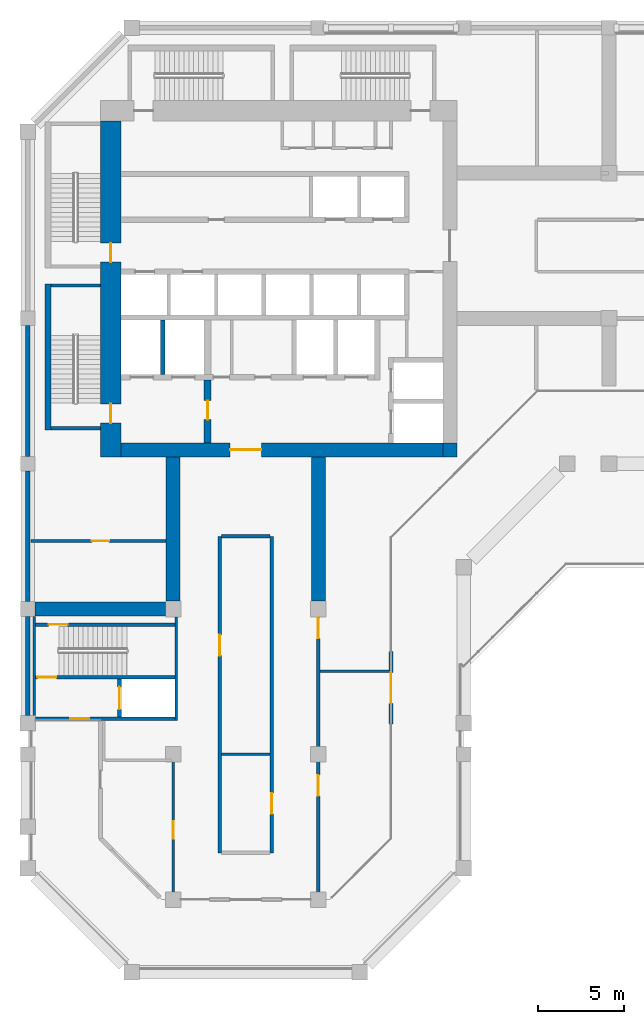
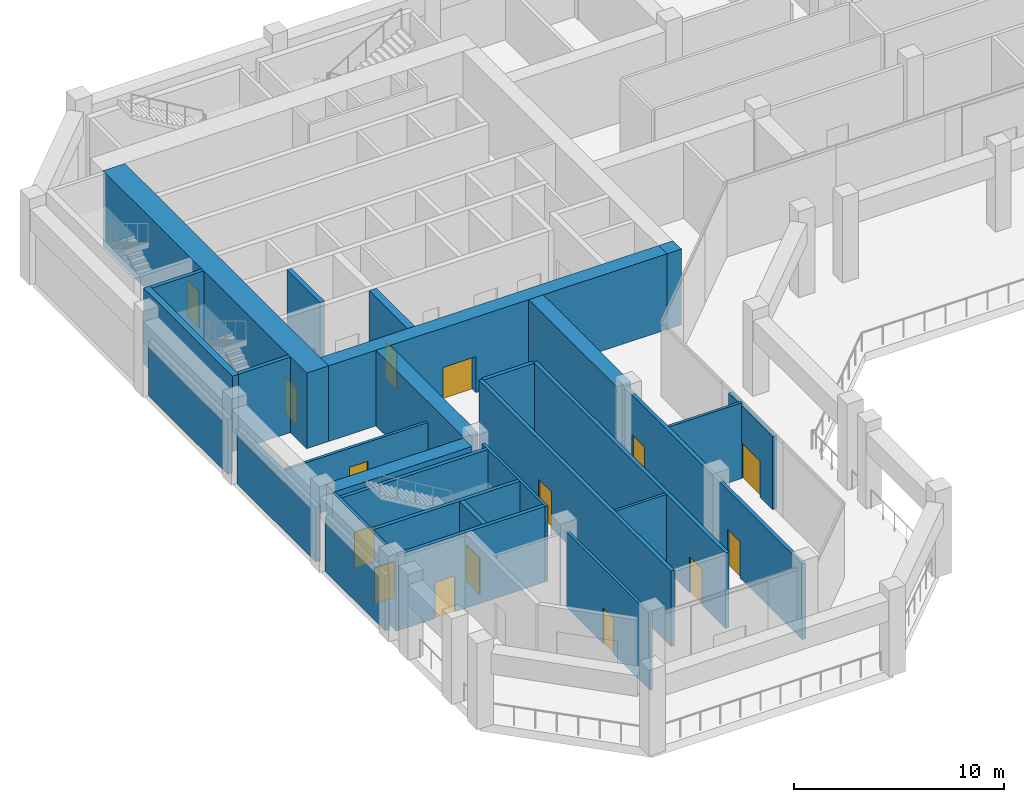
# One storey, part 5 of 14: 29 walls, 15 doors, 15 openings.
"""IFC4 building model written with IfcOpenShell, lengths in metres."""

from ifc_helpers import new_model, si_unit, direction, frame, frame_2d, origin, place, context, subcontext, project, spatial, rectangle, extrude, material, layer, layer_set, type_object, element, fill, save


model = new_model("IFC4")

# Units and contexts
model_context = context("Model", 3, precision=1e-05, world=origin(), true_north=direction((0.0, 1.0)))
body_context = subcontext(model_context, "Body", "Model", "MODEL_VIEW")
ifc_project = project(units=[si_unit("LENGTHUNIT", "METRE"), si_unit("AREAUNIT", "SQUARE_METRE"), si_unit("VOLUMEUNIT", "CUBIC_METRE"), si_unit("PLANEANGLEUNIT", "RADIAN"), si_unit("MASSUNIT", "GRAM", prefix="KILO")], contexts=[model_context])

# Site, building, storey
site_placement = place(None, origin())
site = spatial("IfcSite", under=ifc_project, at=site_placement, CompositionType="ELEMENT")
building_placement = place(site_placement, origin())
building = spatial("IfcBuilding", under=site, at=building_placement, Name="Kawkab Arch Medical Tower", CompositionType="ELEMENT")
storey_placement = place(building_placement, frame((0.0, 0.0, 213.0)))
storey = spatial("IfcBuildingStorey", under=building, at=storey_placement, Name="L49", CompositionType="ELEMENT", Elevation=213.0)

# Walls
ifc_material_1 = material(Name="Concrete C45/55", Category="concrete")
ifc_layer_1 = layer(ifc_material_1, 0.800048828125)
ifc_layer_set_1 = layer_set([ifc_layer_1], Name="Concrete C45/55")
wall_type_1 = type_object("IfcWallType", Name="Belt wall 800 C45/55", PredefinedType="SHEAR", material=ifc_layer_set_1)
for number, where, z_axis, x_axis, name in (
    (1, (8.39990234375, -24.800048828125, 0.0), (0.0, 0.0, 1.0), (0.0, -1.0, 0.0), "Belt wall BW-L49-5"),
    (2, (16.800048828125, -24.800048828125, 0.0), (0.0, 0.0, 1.0), (0.0, -1.0, 0.0), "Belt wall BW-L49-6"),
):
    element("IfcWall", number, at=place(storey_placement, frame(where, z_axis=z_axis, x_axis=x_axis)), inside=storey, type_object=wall_type_1, Name=name, PredefinedType="SHEAR", context=body_context, shape_type="SweptSolid", body=[
        extrude(rectangle(XDim=8.349853515625, YDim=0.800048828125, at=frame_2d((4.1748046875, 0.0))), origin(), (0.0, 0.0, 1.0), 4.39990234375),
    ])
wall_1_placement = place(storey_placement, frame((0.425048828125, -33.60009765625, 0.0), z_axis=(0.0, 0.0, 1.0), x_axis=(1.0, 0.0, 0.0)))
element("IfcWall", 3, at=wall_1_placement, inside=storey, type_object=wall_type_1, Name="Belt wall BW-L49-7", PredefinedType="SHEAR", context=body_context, shape_type="SweptSolid", body=[
    extrude(rectangle(XDim=7.52490234375, YDim=0.800048828125, at=frame_2d((3.762451171875, 0.0))), origin(), (0.0, 0.0, 1.0), 4.39990234375),
])

# Wall, openings, doors
ifc_material_2 = material(Name="Concrete C50/60", Category="concrete")
ifc_layer_2 = layer(ifc_material_2, 1.199951171875)
ifc_layer_set_2 = layer_set([ifc_layer_2], Name="Concrete C50/60")
wall_type_2 = type_object("IfcWallType", Name="Core ring wall 1200 C50/60", PredefinedType="SHEAR", material=ifc_layer_set_2)
wall_2_placement = place(storey_placement, frame((4.800048828125, -24.800048828125, 0.0), z_axis=(0.0, 0.0, 1.0), x_axis=(0.0, 1.0, 0.0)))
wall_2 = element("IfcWall", 4, at=wall_2_placement, inside=storey, type_object=wall_type_2, Name="L49 core wall", PredefinedType="SHEAR", context=body_context, shape_type="SweptSolid", body=[
    extrude(rectangle(XDim=19.400146484375, YDim=1.199951171875, at=frame_2d((9.7001953125, 0.0))), origin(), (0.0, 0.0, 1.0), 4.39990234375),
])
opening_1_placement = place(wall_2_placement, frame((11.25, 0.0, 0.0)))
opening_1 = element("IfcOpeningElement", 5, at=opening_1_placement, cuts=wall_2, Name="Opening SD", PredefinedType="OPENING", context=body_context, shape_type="SweptSolid", body=[
    extrude(rectangle(XDim=1.10009765625, YDim=2.10009765625, at=frame_2d((0.550048828125, 1.050048828125))), frame((0.0, 0.60986328125, 0.0), z_axis=(0.0, -1.0, 0.0), x_axis=(1.0, 0.0, 0.0)), (0.0, 0.0, 1.0), 1.219970703125),
])
opening_2_placement = place(wall_2_placement, frame((1.949951171875, 0.0, 0.0)))
opening_2 = element("IfcOpeningElement", 6, at=opening_2_placement, cuts=wall_2, Name="Opening SD", PredefinedType="OPENING", context=body_context, shape_type="SweptSolid", body=[
    extrude(rectangle(XDim=1.10009765625, YDim=2.10009765625, at=frame_2d((0.550048828125, 1.050048828125))), frame((0.0, 0.60986328125, 0.0), z_axis=(0.0, -1.0, 0.0), x_axis=(1.0, 0.0, 0.0)), (0.0, 0.0, 1.0), 1.219970703125),
])
ifc_material_3 = material(Name="Hollow metal fire door leaf")
door_type_1 = type_object("IfcDoorType", Name="Exit stair door 1100", OperationType="SINGLE_SWING_LEFT", PredefinedType="DOOR", material=ifc_material_3)
door_1_placement = place(opening_1_placement, origin())
door_1 = element("IfcDoor", 7, at=door_1_placement, inside=storey, type_object=door_type_1, Name="L49 Exit stair ST1 door", OperationType="SINGLE_SWING_LEFT", OverallHeight=2.10009765625, OverallWidth=1.10009765625, PredefinedType="DOOR", context=body_context, shape_type="SweptSolid", body=[
    extrude(rectangle(XDim=1.10009765625, YDim=2.10009765625, at=frame_2d((0.550048828125, 1.050048828125))), frame((0.0, 0.02490234375, 0.0), z_axis=(0.0, -1.0, 0.0), x_axis=(1.0, 0.0, 0.0)), (0.0, 0.0, 1.0), 0.050048828125),
])
fill(opening_1, door_1)
door_2_placement = place(opening_2_placement, origin())
door_2 = element("IfcDoor", 8, at=door_2_placement, inside=storey, type_object=door_type_1, Name="L49 Exit stair ST2 door", OperationType="SINGLE_SWING_LEFT", OverallHeight=2.10009765625, OverallWidth=1.10009765625, PredefinedType="DOOR", context=body_context, shape_type="SweptSolid", body=[
    extrude(rectangle(XDim=1.10009765625, YDim=2.10009765625, at=frame_2d((0.550048828125, 1.050048828125))), frame((0.0, 0.02490234375, 0.0), z_axis=(0.0, -1.0, 0.0), x_axis=(1.0, 0.0, 0.0)), (0.0, 0.0, 1.0), 0.050048828125),
])
fill(opening_2, door_2)

# Wall, opening, door
ifc_material_4 = material(Name="Concrete C50/60", Category="concrete")
ifc_layer_3 = layer(ifc_material_4, 0.800048828125)
ifc_layer_set_3 = layer_set([ifc_layer_3], Name="Concrete C50/60")
wall_type_3 = type_object("IfcWallType", Name="Core ring wall 800 C50/60", PredefinedType="SHEAR", material=ifc_layer_set_3)
wall_3_placement = place(storey_placement, frame((5.39990234375, -24.39990234375, 0.0), z_axis=(0.0, 0.0, 1.0), x_axis=(1.0, 0.0, 0.0)))
wall_3 = element("IfcWall", 9, at=wall_3_placement, inside=storey, type_object=wall_type_3, Name="L49 core wall", PredefinedType="SHEAR", context=body_context, shape_type="SweptSolid", body=[
    extrude(rectangle(XDim=18.60009765625, YDim=0.800048828125, at=frame_2d((9.300048828125, 0.0))), origin(), (0.0, 0.0, 1.0), 4.39990234375),
])
opening_3_placement = place(wall_3_placement, frame((6.300048828125, 0.0, 0.0)))
opening_3 = element("IfcOpeningElement", 10, at=opening_3_placement, cuts=wall_3, Name="Opening PD", PredefinedType="OPENING", context=body_context, shape_type="SweptSolid", body=[
    extrude(rectangle(XDim=1.800048828125, YDim=2.10009765625, at=frame_2d((0.89990234375, 1.050048828125))), frame((0.0, 0.409912109375, 0.0), z_axis=(0.0, -1.0, 0.0), x_axis=(1.0, 0.0, 0.0)), (0.0, 0.0, 1.0), 0.820068359375),
])
ifc_material_5 = material(Name="Hollow metal fire door leaf")
door_type_2 = type_object("IfcDoorType", Name="Core entrance doors 1800", OperationType="DOUBLE_DOOR_SINGLE_SWING", PredefinedType="DOOR", material=ifc_material_5)
door_3_placement = place(opening_3_placement, origin())
door_3 = element("IfcDoor", 11, at=door_3_placement, inside=storey, type_object=door_type_2, Name="L49 South entrance doors", OperationType="DOUBLE_DOOR_SINGLE_SWING", OverallHeight=2.10009765625, OverallWidth=1.800048828125, PredefinedType="DOOR", context=body_context, shape_type="SweptSolid", body=[
    extrude(rectangle(XDim=1.800048828125, YDim=2.10009765625, at=frame_2d((0.89990234375, 1.050048828125))), frame((0.0, 0.02490234375, 0.0), z_axis=(0.0, -1.0, 0.0), x_axis=(1.0, 0.0, 0.0)), (0.0, 0.0, 1.0), 0.050048828125),
])
fill(opening_3, door_3)

# Walls
wall_4_placement = place(storey_placement, frame((24.39990234375, -24.800048828125, 0.0), z_axis=(0.0, 0.0, 1.0), x_axis=(0.0, 1.0, 0.0)))
element("IfcWall", 12, at=wall_4_placement, inside=storey, type_object=wall_type_3, Name="L49 core wall", PredefinedType="SHEAR", context=body_context, shape_type="SweptSolid", body=[
    extrude(rectangle(XDim=0.800048828125, YDim=0.800048828125, at=frame_2d((0.39990234375, 0.0))), origin(), (0.0, 0.0, 1.0), 4.39990234375),
])
ifc_material_6 = material(Name="Concrete C60/75", Category="concrete")
ifc_layer_4 = layer(ifc_material_6, 0.25)
ifc_layer_set_4 = layer_set([ifc_layer_4], Name="Concrete C60/75")
wall_type_4 = type_object("IfcWallType", Name="Core shear wall 250 C60/75", PredefinedType="SHEAR", material=ifc_layer_set_4)
wall_5_placement = place(storey_placement, frame((7.800048828125, -20.050048828125, 0.0), z_axis=(0.0, 0.0, 1.0), x_axis=(0.0, 1.0, 0.0)))
element("IfcWall", 13, at=wall_5_placement, inside=storey, type_object=wall_type_4, Name="L49 core shear wall", PredefinedType="SHEAR", context=body_context, shape_type="SweptSolid", body=[
    extrude(rectangle(XDim=3.150146484375, YDim=0.25, at=frame_2d((1.5751953125, 0.0))), origin(), (0.0, 0.0, 1.0), 4.39990234375),
])

# Wall, opening, door
wall_6_placement = place(storey_placement, frame((5.300048828125, -39.85009765625, 0.0), z_axis=(0.0, 0.0, 1.0), x_axis=(0.0, 1.0, 0.0)))
wall_6 = element("IfcWall", 14, at=wall_6_placement, inside=storey, type_object=wall_type_4, Name="L49 core shear wall", PredefinedType="SHEAR", context=body_context, shape_type="SweptSolid", body=[
    extrude(rectangle(XDim=2.2001953125, YDim=0.25, at=frame_2d((1.10009765625, 0.0))), origin(), (0.0, 0.0, 1.0), 4.39990234375),
])
opening_4_placement = place(wall_6_placement, frame((0.449951171875, 0.0, 0.0)))
opening_4 = element("IfcOpeningElement", 15, at=opening_4_placement, cuts=wall_6, Name="Opening LD2", PredefinedType="OPENING", context=body_context, shape_type="SweptSolid", body=[
    extrude(rectangle(XDim=1.300048828125, YDim=2.10009765625, at=frame_2d((0.64990234375, 1.050048828125))), frame((0.0, 0.135009765625, 0.0), z_axis=(0.0, -1.0, 0.0), x_axis=(1.0, 0.0, 0.0)), (0.0, 0.0, 1.0), 0.27001953125),
])
ifc_material_7 = material(Name="Stainless steel lift door leaf", Category="steel")
door_type_3 = type_object("IfcDoorType", Name="Lift landing door 1300", OperationType="DOUBLE_DOOR_SLIDING", PredefinedType="DOOR", material=ifc_material_7)
door_4_placement = place(opening_4_placement, origin())
door_4 = element("IfcDoor", 16, at=door_4_placement, inside=storey, type_object=door_type_3, Name="L49 Lift landing door SV2", OperationType="DOUBLE_DOOR_SLIDING", OverallHeight=2.10009765625, OverallWidth=1.300048828125, PredefinedType="DOOR", context=body_context, shape_type="SweptSolid", body=[
    extrude(rectangle(XDim=1.300048828125, YDim=2.10009765625, at=frame_2d((0.64990234375, 1.050048828125))), frame((0.0, 0.02490234375, 0.0), z_axis=(0.0, -1.0, 0.0), x_axis=(1.0, 0.0, 0.0)), (0.0, 0.0, 1.0), 0.050048828125),
])
fill(opening_4, door_4)

ifc_material_8 = material(Name="Concrete C60/75", Category="concrete")
ifc_layer_5 = layer(ifc_material_8, 0.39990234375)
ifc_layer_set_5 = layer_set([ifc_layer_5], Name="Concrete C60/75")
wall_type_5 = type_object("IfcWallType", Name="Core shear wall 400 C60/75", PredefinedType="SHEAR", material=ifc_layer_set_5)
wall_7_placement = place(storey_placement, frame((10.39990234375, -24.0, 0.0), z_axis=(0.0, 0.0, 1.0), x_axis=(0.0, 1.0, 0.0)))
wall_7 = element("IfcWall", 17, at=wall_7_placement, inside=storey, type_object=wall_type_5, Name="L49 core shear wall", PredefinedType="SHEAR", context=body_context, shape_type="SweptSolid", body=[
    extrude(rectangle(XDim=3.64990234375, YDim=0.39990234375, at=frame_2d((1.824951171875, 0.0))), origin(), (0.0, 0.0, 1.0), 4.39990234375),
])
opening_5_placement = place(wall_7_placement, frame((1.35009765625, 0.0, 0.0)))
opening_5 = element("IfcOpeningElement", 18, at=opening_5_placement, cuts=wall_7, Name="Opening FD", PredefinedType="OPENING", context=body_context, shape_type="SweptSolid", body=[
    extrude(rectangle(XDim=1.10009765625, YDim=2.10009765625, at=frame_2d((0.550048828125, 1.050048828125))), frame((0.0, 0.2099609375, 0.0), z_axis=(0.0, -1.0, 0.0), x_axis=(1.0, 0.0, 0.0)), (0.0, 0.0, 1.0), 0.419921875),
])
ifc_material_9 = material(Name="Hollow metal fire door leaf")
door_type_4 = type_object("IfcDoorType", Name="Firefighting lobby door 1100", OperationType="SINGLE_SWING_LEFT", PredefinedType="DOOR", material=ifc_material_9)
door_5_placement = place(opening_5_placement, origin())
door_5 = element("IfcDoor", 19, at=door_5_placement, inside=storey, type_object=door_type_4, Name="L49 Firefighting lobby door", OperationType="SINGLE_SWING_LEFT", OverallHeight=2.10009765625, OverallWidth=1.10009765625, PredefinedType="DOOR", context=body_context, shape_type="SweptSolid", body=[
    extrude(rectangle(XDim=1.10009765625, YDim=2.10009765625, at=frame_2d((0.550048828125, 1.050048828125))), frame((0.0, 0.02490234375, 0.0), z_axis=(0.0, -1.0, 0.0), x_axis=(1.0, 0.0, 0.0)), (0.0, 0.0, 1.0), 0.050048828125),
])
fill(opening_5, door_5)

# Walls
ifc_material_10 = material(Name="Bronze clad insulated wall panel")
ifc_layer_6 = layer(ifc_material_10, 0.25)
ifc_layer_set_6 = layer_set([ifc_layer_6], Name="Bronze clad insulated wall panel")
wall_type_6 = type_object("IfcWallType", Name="External wall bay 250", PredefinedType="SOLIDWALL", material=ifc_layer_set_6)
wall_8_placement = place(storey_placement, frame((0.0, -17.22509765625, 0.0), z_axis=(0.0, 0.0, 1.0), x_axis=(0.0, -1.0, 0.0)))
element("IfcWall", 20, at=wall_8_placement, inside=storey, type_object=wall_type_6, Name="Plant wall L49.R02.2", PredefinedType="SOLIDWALL", context=body_context, shape_type="SweptSolid", body=[
    extrude(rectangle(XDim=7.5498046875, YDim=0.25, at=frame_2d((3.77490234375, 0.0))), origin(), (0.0, 0.0, 1.0), 3.199951171875),
])
wall_9_placement = place(storey_placement, frame((0.0, -25.625, 0.0), z_axis=(0.0, 0.0, 1.0), x_axis=(0.0, -1.0, 0.0)))
element("IfcWall", 21, at=wall_9_placement, inside=storey, type_object=wall_type_6, Name="Plant wall L49.R02.3", PredefinedType="SOLIDWALL", context=body_context, shape_type="SweptSolid", body=[
    extrude(rectangle(XDim=7.550048828125, YDim=0.25, at=frame_2d((3.77490234375, 0.0))), origin(), (0.0, 0.0, 1.0), 3.199951171875),
])
wall_10_placement = place(storey_placement, frame((0.0, -34.02490234375, 0.0), z_axis=(0.0, 0.0, 1.0), x_axis=(0.0, -1.0, 0.0)))
element("IfcWall", 22, at=wall_10_placement, inside=storey, type_object=wall_type_6, Name="Plant wall L49.R02.4", PredefinedType="SOLIDWALL", context=body_context, shape_type="SweptSolid", body=[
    extrude(rectangle(XDim=5.72509765625, YDim=0.25, at=frame_2d((2.862548828125, 0.0))), origin(), (0.0, 0.0, 1.0), 3.199951171875),
])

# Wall, opening, door
wall_11_placement = place(storey_placement, frame((21.0, -40.260009765625, 0.0), z_axis=(0.0, 0.0, 1.0), x_axis=(0.0, 1.0, 0.0)))
wall_11 = element("IfcWall", 23, at=wall_11_placement, inside=storey, type_object=wall_type_6, Name="External wall bay L49.R09.2.2", PredefinedType="SOLIDWALL", context=body_context, shape_type="SweptSolid", body=[
    extrude(rectangle(XDim=4.199951171875, YDim=0.25, at=frame_2d((2.10009765625, 0.0))), origin(), (0.0, 0.0, 1.0), 4.239990234375),
])
opening_6_placement = place(wall_11_placement, frame((1.199951171875, 0.0, 0.0)))
opening_6 = element("IfcOpeningElement", 24, at=opening_6_placement, cuts=wall_11, Name="Opening PL2B-702", PredefinedType="OPENING", context=body_context, shape_type="SweptSolid", body=[
    extrude(rectangle(XDim=1.800048828125, YDim=2.10009765625, at=frame_2d((0.89990234375, 1.050048828125))), frame((0.0, 0.135009765625, 0.0), z_axis=(0.0, -1.0, 0.0), x_axis=(1.0, 0.0, 0.0)), (0.0, 0.0, 1.0), 0.27001953125),
])
ifc_material_11 = material(Name="Bronze anodised aluminium door with tinted glass", Category="aluminium")
door_type_5 = type_object("IfcDoorType", Name="Double external door 1800 x 2100", OperationType="DOUBLE_DOOR_SINGLE_SWING", PredefinedType="DOOR", material=ifc_material_11)
door_6_placement = place(opening_6_placement, origin())
door_6 = element("IfcDoor", 25, at=door_6_placement, inside=storey, type_object=door_type_5, Name="External door L49.R09.2.2", OperationType="DOUBLE_DOOR_SINGLE_SWING", OverallHeight=2.10009765625, OverallWidth=1.800048828125, PredefinedType="DOOR", context=body_context, shape_type="SweptSolid", body=[
    extrude(rectangle(XDim=1.800048828125, YDim=2.10009765625, at=frame_2d((0.89990234375, 1.050048828125))), frame((0.0, 0.02490234375, 0.0), z_axis=(0.0, -1.0, 0.0), x_axis=(1.0, 0.0, 0.0)), (0.0, 0.0, 1.0), 0.050048828125),
])
fill(opening_6, door_6)

# Walls
ifc_material_12 = material(Name="Gypsum board partition on steel studs, mineral wool", Category="steel")
ifc_layer_7 = layer(ifc_material_12, 0.14990234375)
ifc_layer_set_7 = layer_set([ifc_layer_7], Name="Gypsum board partition on steel studs, mineral wool")
wall_type_7 = type_object("IfcWallType", Name="Partition 150", PredefinedType="PARTITIONING", material=ifc_layer_set_7)
wall_12_placement = place(storey_placement, frame((11.199951171875, -42.0, 0.0), z_axis=(0.0, 0.0, 1.0), x_axis=(1.0, 0.0, 0.0)))
element("IfcWall", 26, at=wall_12_placement, inside=storey, type_object=wall_type_7, Name="Partition 150 w002", PredefinedType="PARTITIONING", context=body_context, shape_type="SweptSolid", body=[
    extrude(rectangle(XDim=2.800048828125, YDim=0.14990234375, at=frame_2d((1.39990234375, 0.0))), origin(), (0.0, 0.0, 1.0), 4.39990234375),
])
wall_13_placement = place(storey_placement, frame((16.89990234375, -37.208984375, 0.0), z_axis=(0.0, 0.0, 1.0), x_axis=(1.0, 0.0, 0.0)))
element("IfcWall", 27, at=wall_13_placement, inside=storey, type_object=wall_type_7, Name="Partition 150 w003", PredefinedType="PARTITIONING", context=body_context, shape_type="SweptSolid", body=[
    extrude(rectangle(XDim=4.02001953125, YDim=0.14990234375, at=frame_2d((2.010009765625, 0.0))), origin(), (0.0, 0.0, 1.0), 4.39990234375),
])

# Wall, opening, door
wall_14_placement = place(storey_placement, frame((0.199951171875, -29.66796875, 0.0), z_axis=(0.0, 0.0, 1.0), x_axis=(1.0, 0.0, 0.0)))
wall_14 = element("IfcWall", 28, at=wall_14_placement, inside=storey, type_object=wall_type_7, Name="Partition 150 w004", PredefinedType="PARTITIONING", context=body_context, shape_type="SweptSolid", body=[
    extrude(rectangle(XDim=7.801025390625, YDim=0.14990234375, at=frame_2d((3.900390625, 0.0))), origin(), (0.0, 0.0, 1.0), 3.199951171875),
])
opening_7_placement = place(wall_14_placement, frame((3.4990234375, 0.0, 0.0)))
opening_7 = element("IfcOpeningElement", 29, at=opening_7_placement, cuts=wall_14, Name="Opening PL2B-004", PredefinedType="OPENING", context=body_context, shape_type="SweptSolid", body=[
    extrude(rectangle(XDim=1.0, YDim=2.10009765625, at=frame_2d((0.5, 1.050048828125))), frame((0.0, 0.0849609375, 0.0), z_axis=(0.0, -1.0, 0.0), x_axis=(1.0, 0.0, 0.0)), (0.0, 0.0, 1.0), 0.169921875),
])
ifc_material_13 = material(Name="Hollow metal door leaf")
door_type_6 = type_object("IfcDoorType", Name="Single door 1000x2100 FD30S", OperationType="NOTDEFINED", PredefinedType="DOOR", material=ifc_material_13)
door_7_placement = place(opening_7_placement, origin())
door_7 = element("IfcDoor", 30, at=door_7_placement, inside=storey, type_object=door_type_6, Name="Door PL2B-004", OperationType="SINGLE_SWING_RIGHT", OverallHeight=2.10009765625, OverallWidth=1.0, PredefinedType="DOOR", context=body_context, shape_type="SweptSolid", body=[
    extrude(rectangle(XDim=1.0, YDim=2.10009765625, at=frame_2d((0.5, 1.050048828125))), frame((0.0, 0.02490234375, 0.0), z_axis=(0.0, -1.0, 0.0), x_axis=(1.0, 0.0, 0.0)), (0.0, 0.0, 1.0), 0.050048828125),
])
fill(opening_7, door_7)

wall_15_placement = place(storey_placement, frame((8.39990234375, -50.321044921875, 0.0), z_axis=(0.0, 0.0, 1.0), x_axis=(0.0, 1.0, 0.0)))
wall_15 = element("IfcWall", 31, at=wall_15_placement, inside=storey, type_object=wall_type_7, Name="Partition 150 w010", PredefinedType="PARTITIONING", context=body_context, shape_type="SweptSolid", body=[
    extrude(rectangle(XDim=7.969970703125, YDim=0.14990234375, at=frame_2d((3.98486328125, 0.0))), origin(), (0.0, 0.0, 1.0), 4.39990234375),
])
opening_8_placement = place(wall_15_placement, frame((3.445068359375, 0.0, 0.0)))
opening_8 = element("IfcOpeningElement", 32, at=opening_8_placement, cuts=wall_15, Name="Opening PL2B-003", PredefinedType="OPENING", context=body_context, shape_type="SweptSolid", body=[
    extrude(rectangle(XDim=1.0, YDim=2.10009765625, at=frame_2d((0.5, 1.050048828125))), frame((0.0, 0.0849609375, 0.0), z_axis=(0.0, -1.0, 0.0), x_axis=(1.0, 0.0, 0.0)), (0.0, 0.0, 1.0), 0.169921875),
])
door_8_placement = place(opening_8_placement, origin())
door_8 = element("IfcDoor", 33, at=door_8_placement, inside=storey, type_object=door_type_6, Name="Door PL2B-003", OperationType="SINGLE_SWING_LEFT", OverallHeight=2.10009765625, OverallWidth=1.0, PredefinedType="DOOR", context=body_context, shape_type="SweptSolid", body=[
    extrude(rectangle(XDim=1.0, YDim=2.10009765625, at=frame_2d((0.5, 1.050048828125))), frame((0.0, 0.02490234375, 0.0), z_axis=(0.0, -1.0, 0.0), x_axis=(1.0, 0.0, 0.0)), (0.0, 0.0, 1.0), 0.050048828125),
])
fill(opening_8, door_8)

# Wall
ifc_material_14 = material(Name="Fire-rated gypsum board partition on steel studs", Category="steel")
ifc_layer_8 = layer(ifc_material_14, 0.199951171875)
ifc_layer_set_8 = layer_set([ifc_layer_8], Name="Fire-rated gypsum board partition on steel studs")
wall_type_8 = type_object("IfcWallType", Name="Protected partition 200", PredefinedType="PARTITIONING", material=ifc_layer_set_8)
wall_16_placement = place(storey_placement, frame((11.202880859375, -29.39990234375, 0.0), z_axis=(0.0, 0.0, 1.0), x_axis=(1.0, 0.0, 0.0)))
element("IfcWall", 34, at=wall_16_placement, inside=storey, type_object=wall_type_8, Name="Protected partition 200 w016", PredefinedType="PARTITIONING", context=body_context, shape_type="SweptSolid", body=[
    extrude(rectangle(XDim=2.797119140625, YDim=0.199951171875, at=frame_2d((1.3984375, 0.0))), origin(), (0.0, 0.0, 1.0), 4.39990234375),
])

# Wall, opening, door
wall_17_placement = place(storey_placement, frame((11.10009765625, -47.697021484375, 0.0), z_axis=(0.0, 0.0, 1.0), x_axis=(0.0, 1.0, 0.0)))
wall_17 = element("IfcWall", 35, at=wall_17_placement, inside=storey, type_object=wall_type_8, Name="Protected partition 200 w022", PredefinedType="PARTITIONING", context=body_context, shape_type="SweptSolid", body=[
    extrude(rectangle(XDim=18.2939453125, YDim=0.199951171875, at=frame_2d((9.14697265625, 0.0))), origin(), (0.0, 0.0, 1.0), 4.39990234375),
])
opening_9_placement = place(wall_17_placement, frame((11.39599609375, 0.0, 0.0)))
opening_9 = element("IfcOpeningElement", 36, at=opening_9_placement, cuts=wall_17, Name="Opening PL2B-010", PredefinedType="OPENING", context=body_context, shape_type="SweptSolid", body=[
    extrude(rectangle(XDim=1.199951171875, YDim=2.10009765625, at=frame_2d((0.60009765625, 1.050048828125))), frame((0.0, 0.10986328125, 0.0), z_axis=(0.0, -1.0, 0.0), x_axis=(1.0, 0.0, 0.0)), (0.0, 0.0, 1.0), 0.219970703125),
])
ifc_material_15 = material(Name="Hollow metal door leaf")
door_type_7 = type_object("IfcDoorType", Name="Single door 1200x2100 FD60", OperationType="NOTDEFINED", PredefinedType="DOOR", material=ifc_material_15)
door_9_placement = place(opening_9_placement, origin())
door_9 = element("IfcDoor", 37, at=door_9_placement, inside=storey, type_object=door_type_7, Name="Door PL2B-010", OperationType="SINGLE_SWING_LEFT", OverallHeight=2.10009765625, OverallWidth=1.199951171875, PredefinedType="DOOR", context=body_context, shape_type="SweptSolid", body=[
    extrude(rectangle(XDim=1.199951171875, YDim=2.10009765625, at=frame_2d((0.60009765625, 1.050048828125))), frame((0.0, 0.02490234375, 0.0), z_axis=(0.0, -1.0, 0.0), x_axis=(1.0, 0.0, 0.0)), (0.0, 0.0, 1.0), 0.050048828125),
])
fill(opening_9, door_9)

wall_18_placement = place(storey_placement, frame((14.10009765625, -47.699951171875, 0.0), z_axis=(0.0, 0.0, 1.0), x_axis=(0.0, 1.0, 0.0)))
wall_18 = element("IfcWall", 38, at=wall_18_placement, inside=storey, type_object=wall_type_8, Name="Protected partition 200 w023", PredefinedType="PARTITIONING", context=body_context, shape_type="SweptSolid", body=[
    extrude(rectangle(XDim=18.300048828125, YDim=0.199951171875, at=frame_2d((9.14990234375, 0.0))), origin(), (0.0, 0.0, 1.0), 4.39990234375),
])
opening_10_placement = place(wall_18_placement, frame((2.25, 0.0, 0.0)))
opening_10 = element("IfcOpeningElement", 39, at=opening_10_placement, cuts=wall_18, Name="Opening PL2B-011", PredefinedType="OPENING", context=body_context, shape_type="SweptSolid", body=[
    extrude(rectangle(XDim=1.199951171875, YDim=2.10009765625, at=frame_2d((0.60009765625, 1.050048828125))), frame((0.0, 0.10986328125, 0.0), z_axis=(0.0, -1.0, 0.0), x_axis=(1.0, 0.0, 0.0)), (0.0, 0.0, 1.0), 0.219970703125),
])
door_10_placement = place(opening_10_placement, origin())
door_10 = element("IfcDoor", 40, at=door_10_placement, inside=storey, type_object=door_type_7, Name="Door PL2B-011", OperationType="SINGLE_SWING_LEFT", OverallHeight=2.10009765625, OverallWidth=1.199951171875, PredefinedType="DOOR", context=body_context, shape_type="SweptSolid", body=[
    extrude(rectangle(XDim=1.199951171875, YDim=2.10009765625, at=frame_2d((0.60009765625, 1.050048828125))), frame((0.0, 0.02490234375, 0.0), z_axis=(0.0, -1.0, 0.0), x_axis=(1.0, 0.0, 0.0)), (0.0, 0.0, 1.0), 0.050048828125),
])
fill(opening_10, door_10)

# Wall, openings, doors
wall_19_placement = place(storey_placement, frame((16.800048828125, -50.321044921875, 0.0), z_axis=(0.0, 0.0, 1.0), x_axis=(0.0, 1.0, 0.0)))
wall_19 = element("IfcWall", 41, at=wall_19_placement, inside=storey, type_object=wall_type_8, Name="Protected partition 200 w024", PredefinedType="PARTITIONING", context=body_context, shape_type="SweptSolid", body=[
    extrude(rectangle(XDim=17.171142578125, YDim=0.199951171875, at=frame_2d((8.58544921875, 0.0))), origin(), (0.0, 0.0, 1.0), 4.39990234375),
])
opening_11_placement = place(wall_19_placement, frame((15.01611328125, 0.0, 0.0)))
opening_11 = element("IfcOpeningElement", 42, at=opening_11_placement, cuts=wall_19, Name="Opening PL2B-012", PredefinedType="OPENING", context=body_context, shape_type="SweptSolid", body=[
    extrude(rectangle(XDim=1.199951171875, YDim=2.10009765625, at=frame_2d((0.60009765625, 1.050048828125))), frame((0.0, 0.10986328125, 0.0), z_axis=(0.0, -1.0, 0.0), x_axis=(1.0, 0.0, 0.0)), (0.0, 0.0, 1.0), 0.219970703125),
])
opening_12_placement = place(wall_19_placement, frame((5.916015625, 0.0, 0.0)))
opening_12 = element("IfcOpeningElement", 43, at=opening_12_placement, cuts=wall_19, Name="Opening PL2B-013", PredefinedType="OPENING", context=body_context, shape_type="SweptSolid", body=[
    extrude(rectangle(XDim=1.199951171875, YDim=2.10009765625, at=frame_2d((0.60009765625, 1.050048828125))), frame((0.0, 0.10986328125, 0.0), z_axis=(0.0, -1.0, 0.0), x_axis=(1.0, 0.0, 0.0)), (0.0, 0.0, 1.0), 0.219970703125),
])
door_11_placement = place(opening_11_placement, origin())
door_11 = element("IfcDoor", 44, at=door_11_placement, inside=storey, type_object=door_type_7, Name="Door PL2B-012", OperationType="SINGLE_SWING_LEFT", OverallHeight=2.10009765625, OverallWidth=1.199951171875, PredefinedType="DOOR", context=body_context, shape_type="SweptSolid", body=[
    extrude(rectangle(XDim=1.199951171875, YDim=2.10009765625, at=frame_2d((0.60009765625, 1.050048828125))), frame((0.0, 0.02490234375, 0.0), z_axis=(0.0, -1.0, 0.0), x_axis=(1.0, 0.0, 0.0)), (0.0, 0.0, 1.0), 0.050048828125),
])
fill(opening_11, door_11)
door_12_placement = place(opening_12_placement, origin())
door_12 = element("IfcDoor", 45, at=door_12_placement, inside=storey, type_object=door_type_7, Name="Door PL2B-013", OperationType="SINGLE_SWING_RIGHT", OverallHeight=2.10009765625, OverallWidth=1.199951171875, PredefinedType="DOOR", context=body_context, shape_type="SweptSolid", body=[
    extrude(rectangle(XDim=1.199951171875, YDim=2.10009765625, at=frame_2d((0.60009765625, 1.050048828125))), frame((0.0, 0.02490234375, 0.0), z_axis=(0.0, -1.0, 0.0), x_axis=(1.0, 0.0, 0.0)), (0.0, 0.0, 1.0), 0.050048828125),
])
fill(opening_12, door_12)

# Walls
ifc_material_16 = material(Name="Concrete C50/60", Category="concrete")
ifc_layer_9 = layer(ifc_material_16, 0.14990234375)
ifc_layer_set_9 = layer_set([ifc_layer_9], Name="Concrete C50/60")
wall_type_9 = type_object("IfcWallType", Name="Stair enclosure wall 150 C50/60", PredefinedType="SHEAR", material=ifc_layer_set_9)
wall_20_placement = place(storey_placement, frame((0.375, -40.050048828125, 0.0), z_axis=(0.0, 0.0, 1.0), x_axis=(0.0, 1.0, 0.0)))
element("IfcWall", 46, at=wall_20_placement, inside=storey, type_object=wall_type_9, Name="L49 stair enclosure wall", PredefinedType="SHEAR", context=body_context, shape_type="SweptSolid", body=[
    extrude(rectangle(XDim=6.025146484375, YDim=0.14990234375, at=frame_2d((3.0126953125, 0.0))), origin(), (0.0, 0.0, 1.0), 4.39990234375),
])
wall_21_placement = place(storey_placement, frame((8.574951171875, -40.050048828125, 0.0), z_axis=(0.0, 0.0, 1.0), x_axis=(0.0, 1.0, 0.0)))
element("IfcWall", 47, at=wall_21_placement, inside=storey, type_object=wall_type_9, Name="L49 stair enclosure wall", PredefinedType="SHEAR", context=body_context, shape_type="SweptSolid", body=[
    extrude(rectangle(XDim=6.0, YDim=0.14990234375, at=frame_2d((3.0, 0.0))), origin(), (0.0, 0.0, 1.0), 4.39990234375),
])
ifc_material_17 = material(Name="Concrete C50/60", Category="concrete")
ifc_layer_10 = layer(ifc_material_17, 0.199951171875)
ifc_layer_set_10 = layer_set([ifc_layer_10], Name="Concrete C50/60")
wall_type_10 = type_object("IfcWallType", Name="Stair enclosure wall 200 C50/60", PredefinedType="SHEAR", material=ifc_layer_set_10)
for number, where, z_axis, x_axis, name in (
    (48, (1.35009765625, -14.89990234375, 0.0), (0.0, 0.0, 1.0), (1.0, 0.0, 0.0), "L49 stair enclosure wall"),
    (49, (1.35009765625, -23.14990234375, 0.0), (0.0, 0.0, 1.0), (1.0, 0.0, 0.0), "L49 stair enclosure wall"),
):
    element("IfcWall", number, at=place(storey_placement, frame(where, z_axis=z_axis, x_axis=x_axis)), inside=storey, type_object=wall_type_10, Name=name, PredefinedType="SHEAR", context=body_context, shape_type="SweptSolid", body=[
        extrude(rectangle(XDim=2.849853515625, YDim=0.199951171875, at=frame_2d((1.4248046875, 0.0))), origin(), (0.0, 0.0, 1.0), 4.39990234375),
    ])

# Wall, opening, door
wall_22_placement = place(storey_placement, frame((0.449951171875, -34.5, 0.0), z_axis=(0.0, 0.0, 1.0), x_axis=(1.0, 0.0, 0.0)))
wall_22 = element("IfcWall", 50, at=wall_22_placement, inside=storey, type_object=wall_type_10, Name="L49 stair enclosure wall", PredefinedType="SHEAR", context=body_context, shape_type="SweptSolid", body=[
    extrude(rectangle(XDim=8.050048828125, YDim=0.199951171875, at=frame_2d((4.02490234375, 0.0))), origin(), (0.0, 0.0, 1.0), 4.39990234375),
])
opening_13_placement = place(wall_22_placement, frame((0.75, 0.0, 0.0)))
opening_13 = element("IfcOpeningElement", 51, at=opening_13_placement, cuts=wall_22, Name="Opening SD", PredefinedType="OPENING", context=body_context, shape_type="SweptSolid", body=[
    extrude(rectangle(XDim=1.10009765625, YDim=2.10009765625, at=frame_2d((0.550048828125, 1.050048828125))), frame((0.0, 0.10986328125, 0.0), z_axis=(0.0, -1.0, 0.0), x_axis=(1.0, 0.0, 0.0)), (0.0, 0.0, 1.0), 0.219970703125),
])
door_13_placement = place(opening_13_placement, origin())
door_13 = element("IfcDoor", 52, at=door_13_placement, inside=storey, type_object=door_type_1, Name="L49 Exit stair ST6 door", OperationType="SINGLE_SWING_LEFT", OverallHeight=2.10009765625, OverallWidth=1.10009765625, PredefinedType="DOOR", context=body_context, shape_type="SweptSolid", body=[
    extrude(rectangle(XDim=1.10009765625, YDim=2.10009765625, at=frame_2d((0.550048828125, 1.050048828125))), frame((0.0, 0.02490234375, 0.0), z_axis=(0.0, -1.0, 0.0), x_axis=(1.0, 0.0, 0.0)), (0.0, 0.0, 1.0), 0.050048828125),
])
fill(opening_13, door_13)

wall_23_placement = place(storey_placement, frame((0.449951171875, -37.550048828125, 0.0), z_axis=(0.0, 0.0, 1.0), x_axis=(1.0, 0.0, 0.0)))
wall_23 = element("IfcWall", 53, at=wall_23_placement, inside=storey, type_object=wall_type_10, Name="L49 stair enclosure wall", PredefinedType="SHEAR", context=body_context, shape_type="SweptSolid", body=[
    extrude(rectangle(XDim=8.050048828125, YDim=0.199951171875, at=frame_2d((4.02490234375, 0.0))), origin(), (0.0, 0.0, 1.0), 4.39990234375),
])
opening_14_placement = place(wall_23_placement, frame((0.10009765625, 0.0, 0.0)))
opening_14 = element("IfcOpeningElement", 54, at=opening_14_placement, cuts=wall_23, Name="Opening SD", PredefinedType="OPENING", context=body_context, shape_type="SweptSolid", body=[
    extrude(rectangle(XDim=1.10009765625, YDim=2.10009765625, at=frame_2d((0.550048828125, 1.050048828125))), frame((0.0, 0.10986328125, 0.0), z_axis=(0.0, -1.0, 0.0), x_axis=(1.0, 0.0, 0.0)), (0.0, 0.0, 1.0), 0.219970703125),
])
door_14_placement = place(opening_14_placement, frame((1.10009765625, 0.0, 0.0), z_axis=(0.0, 0.0, 1.0), x_axis=(-1.0, 0.0, 0.0)))
door_14 = element("IfcDoor", 55, at=door_14_placement, inside=storey, type_object=door_type_1, Name="L49 Exit stair ST6 lobby door", OperationType="SINGLE_SWING_LEFT", OverallHeight=2.10009765625, OverallWidth=1.10009765625, PredefinedType="DOOR", context=body_context, shape_type="SweptSolid", body=[
    extrude(rectangle(XDim=1.10009765625, YDim=2.10009765625, at=frame_2d((0.550048828125, 1.050048828125))), frame((0.0, 0.02490234375, 0.0), z_axis=(0.0, -1.0, 0.0), x_axis=(1.0, 0.0, 0.0)), (0.0, 0.0, 1.0), 0.050048828125),
])
fill(opening_14, door_14)

wall_24_placement = place(storey_placement, frame((0.449951171875, -39.949951171875, 0.0), z_axis=(0.0, 0.0, 1.0), x_axis=(1.0, 0.0, 0.0)))
wall_24 = element("IfcWall", 56, at=wall_24_placement, inside=storey, type_object=wall_type_10, Name="L49 stair enclosure wall", PredefinedType="SHEAR", context=body_context, shape_type="SweptSolid", body=[
    extrude(rectangle(XDim=8.050048828125, YDim=0.199951171875, at=frame_2d((4.02490234375, 0.0))), origin(), (0.0, 0.0, 1.0), 4.39990234375),
])
opening_15_placement = place(wall_24_placement, frame((2.0, 0.0, 0.0)))
opening_15 = element("IfcOpeningElement", 57, at=opening_15_placement, cuts=wall_24, Name="Opening FD", PredefinedType="OPENING", context=body_context, shape_type="SweptSolid", body=[
    extrude(rectangle(XDim=1.10009765625, YDim=2.10009765625, at=frame_2d((0.550048828125, 1.050048828125))), frame((0.0, 0.10986328125, 0.0), z_axis=(0.0, -1.0, 0.0), x_axis=(1.0, 0.0, 0.0)), (0.0, 0.0, 1.0), 0.219970703125),
])
door_15_placement = place(opening_15_placement, origin())
door_15 = element("IfcDoor", 58, at=door_15_placement, inside=storey, type_object=door_type_4, Name="L49 Service lift lobby door SV2", OperationType="SINGLE_SWING_LEFT", OverallHeight=2.10009765625, OverallWidth=1.10009765625, PredefinedType="DOOR", context=body_context, shape_type="SweptSolid", body=[
    extrude(rectangle(XDim=1.10009765625, YDim=2.10009765625, at=frame_2d((0.550048828125, 1.050048828125))), frame((0.0, 0.02490234375, 0.0), z_axis=(0.0, -1.0, 0.0), x_axis=(1.0, 0.0, 0.0)), (0.0, 0.0, 1.0), 0.050048828125),
])
fill(opening_15, door_15)

# Wall
ifc_material_18 = material(Name="Concrete C50/60", Category="concrete")
ifc_layer_11 = layer(ifc_material_18, 0.35009765625)
ifc_layer_set_11 = layer_set([ifc_layer_11], Name="Concrete C50/60")
wall_type_11 = type_object("IfcWallType", Name="Stair enclosure wall 350 C50/60", PredefinedType="SHEAR", material=ifc_layer_set_11)
wall_25_placement = place(storey_placement, frame((1.175048828125, -23.25, 0.0), z_axis=(0.0, 0.0, 1.0), x_axis=(0.0, 1.0, 0.0)))
element("IfcWall", 59, at=wall_25_placement, inside=storey, type_object=wall_type_11, Name="L49 stair enclosure wall", PredefinedType="SHEAR", context=body_context, shape_type="SweptSolid", body=[
    extrude(rectangle(XDim=8.449951171875, YDim=0.35009765625, at=frame_2d((4.22509765625, 0.0))), origin(), (0.0, 0.0, 1.0), 4.39990234375),
])

save(model, "model.ifc")
